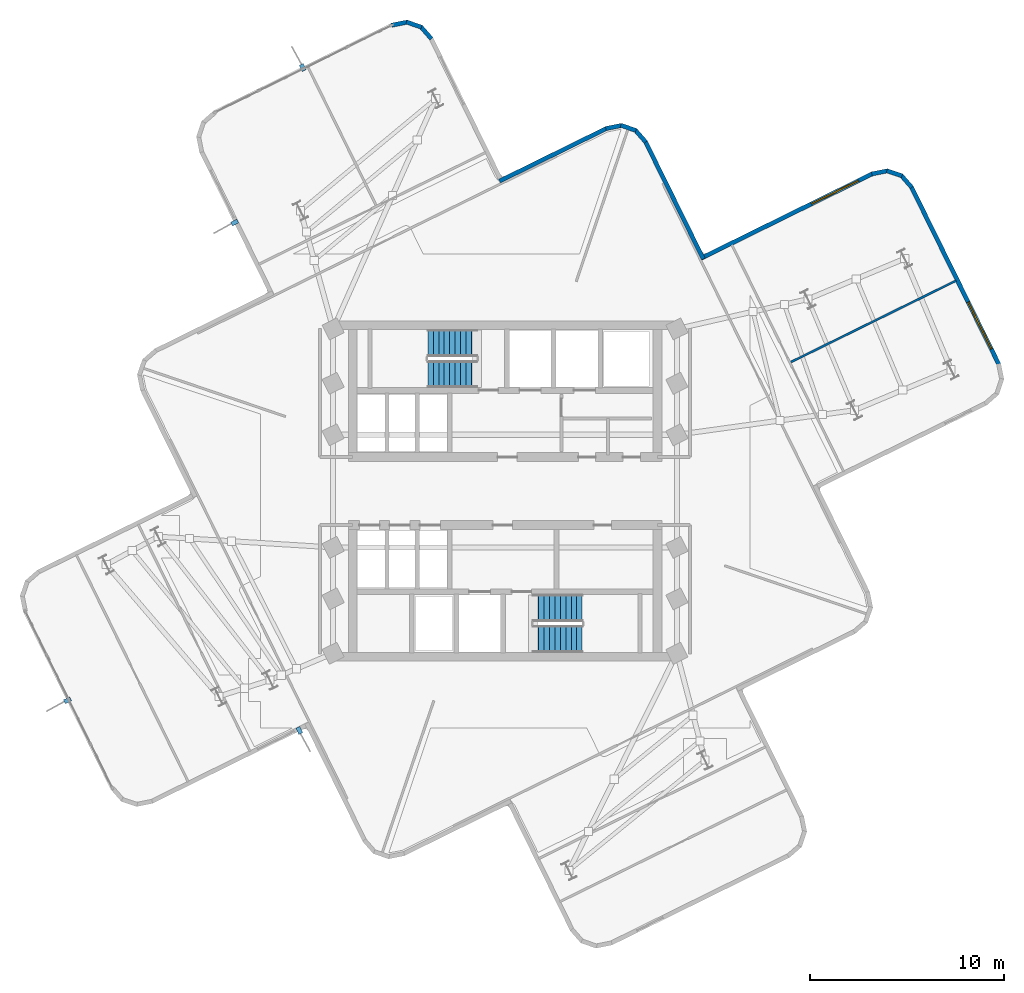
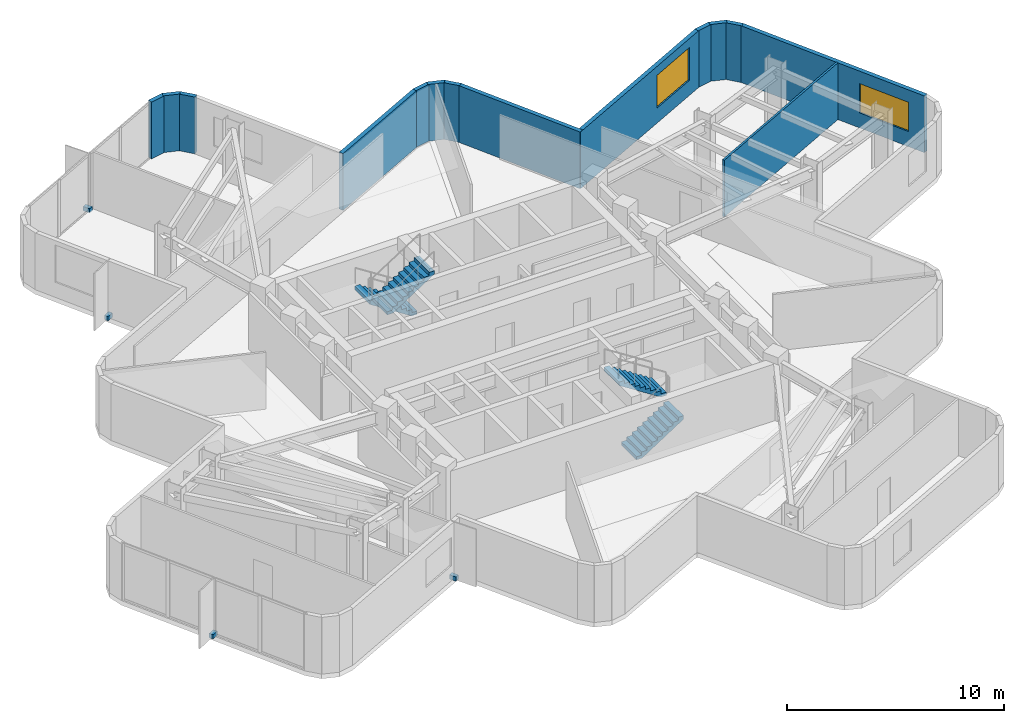
# One storey, part 8 of 11: 14 walls, 4 discrete accessories, 4 stair flights, 2 windows, 2 openings, 2 elements without a shape of their own.
"""IFC4 building model written with IfcOpenShell, lengths in metres."""

from ifc_helpers import new_model, si_unit, direction, frame, frame_2d, origin, origin_2d, place, context, subcontext, project, spatial, polyline, rectangle, outline, extrude, material, layer, layer_set, type_object, element, fill, aggregate, save


model = new_model("IFC4")

# Units and contexts
model_context = context("Model", 3, precision=1e-05, world=origin(), true_north=direction((0.0, 1.0)))
body_context = subcontext(model_context, "Body", "Model", "MODEL_VIEW")
ifc_project = project(units=[si_unit("LENGTHUNIT", "METRE"), si_unit("AREAUNIT", "SQUARE_METRE"), si_unit("VOLUMEUNIT", "CUBIC_METRE"), si_unit("PLANEANGLEUNIT", "RADIAN"), si_unit("MASSUNIT", "GRAM", prefix="KILO")], contexts=[model_context])

# Site, building, storey
site_placement = place(None, origin())
site = spatial("IfcSite", under=ifc_project, at=site_placement, CompositionType="ELEMENT")
building_placement = place(site_placement, origin())
building = spatial("IfcBuilding", under=site, at=building_placement, Name="Solmarez Civic Tower", CompositionType="ELEMENT")
storey_placement = place(building_placement, frame((0.0, 0.0, 192.60009765625)))
storey = spatial("IfcBuildingStorey", under=building, at=storey_placement, Name="L51", CompositionType="ELEMENT", Elevation=192.60009765625)

# Walls
ifc_material_1 = material(Name="Precast concrete C40/50", Category="concrete")
ifc_layer_1 = layer(ifc_material_1, 0.219970703125)
ifc_layer_set_1 = layer_set([ifc_layer_1], Name="Precast concrete C40/50")
wall_type_1 = type_object("IfcWallType", Name="WALL-EXT-220", PredefinedType="SOLIDWALL", material=ifc_layer_set_1)
wall_1_placement = place(storey_placement, frame((-5.844970703125, 23.98388671875, 0.0), z_axis=(0.0, 0.0, 1.0), x_axis=(0.980748961915, 0.195272818647, 0.0)))
element("IfcWall", 1, at=wall_1_placement, inside=storey, type_object=wall_type_1, Name="L51 Exterior Precast Wall 25", PredefinedType="SOLIDWALL", context=body_context, shape_type="SweptSolid", body=[
    extrude(rectangle(XDim=0.835205078125, YDim=0.219970703125, at=frame_2d((0.41748046875, 0.0))), origin(), (0.0, 0.0, 1.0), 3.199951171875),
])
wall_2_placement = place(storey_placement, frame((-5.074951171875, 24.14990234375, 0.0), z_axis=(0.0, 0.0, 1.0), x_axis=(0.946729156516, -0.322030905662, 0.0)))
element("IfcWall", 2, at=wall_2_placement, inside=storey, type_object=wall_type_1, Name="L51 Exterior Precast Wall 26", PredefinedType="SOLIDWALL", context=body_context, shape_type="SweptSolid", body=[
    extrude(rectangle(XDim=0.819580078125, YDim=0.219970703125, at=frame_2d((0.40966796875, 0.0))), origin(), (0.0, 0.0, 1.0), 3.199951171875),
])
wall_3_placement = place(storey_placement, frame((-4.339111328125, 23.9130859375, 0.0), z_axis=(0.0, 0.0, 1.0), x_axis=(0.65811089996, -0.75292100738, 0.0)))
element("IfcWall", 3, at=wall_3_placement, inside=storey, type_object=wall_type_1, Name="L51 Exterior Precast Wall 27", PredefinedType="SOLIDWALL", context=body_context, shape_type="SweptSolid", body=[
    extrude(rectangle(XDim=0.834228515625, YDim=0.219970703125, at=frame_2d((0.4169921875, 0.0))), origin(), (0.0, 0.0, 1.0), 3.199951171875),
])
wall_4_placement = place(storey_placement, frame((-0.283935546875, 15.9599609375, 0.0), z_axis=(0.0, 0.0, 1.0), x_axis=(0.897012793167, 0.442004580174, 0.0)))
element("IfcWall", 4, at=wall_4_placement, inside=storey, type_object=wall_type_1, Name="L51 Exterior Precast Wall 31", PredefinedType="SOLIDWALL", context=body_context, shape_type="SweptSolid", body=[
    extrude(rectangle(XDim=6.158203125, YDim=0.219970703125, at=frame_2d((3.0791015625, 0.0))), origin(), (0.0, 0.0, 1.0), 3.199951171875),
])
wall_5_placement = place(storey_placement, frame((5.193115234375, 18.666015625, 0.0), z_axis=(0.0, 0.0, 1.0), x_axis=(0.980737810353, 0.19532881852, 0.0)))
element("IfcWall", 5, at=wall_5_placement, inside=storey, type_object=wall_type_1, Name="L51 Exterior Precast Wall 32", PredefinedType="SOLIDWALL", context=body_context, shape_type="SweptSolid", body=[
    extrude(rectangle(XDim=0.8349609375, YDim=0.219970703125, at=frame_2d((0.41748046875, 0.0))), origin(), (0.0, 0.0, 1.0), 3.199951171875),
])
wall_6_placement = place(storey_placement, frame((5.962890625, 18.83203125, 0.0), z_axis=(0.0, 0.0, 1.0), x_axis=(0.947245162699, -0.320509908962, 0.0)))
element("IfcWall", 6, at=wall_6_placement, inside=storey, type_object=wall_type_1, Name="L51 Exterior Precast Wall 33", PredefinedType="SOLIDWALL", context=body_context, shape_type="SweptSolid", body=[
    extrude(rectangle(XDim=0.8203125, YDim=0.219970703125, at=frame_2d((0.41015625, 0.0))), origin(), (0.0, 0.0, 1.0), 3.199951171875),
])
wall_7_placement = place(storey_placement, frame((6.699951171875, 18.595947265625, 0.0), z_axis=(0.0, 0.0, 1.0), x_axis=(0.658255916404, -0.752794227209, 0.0)))
element("IfcWall", 7, at=wall_7_placement, inside=storey, type_object=wall_type_1, Name="L51 Exterior Precast Wall 34", PredefinedType="SOLIDWALL", context=body_context, shape_type="SweptSolid", body=[
    extrude(rectangle(XDim=0.834228515625, YDim=0.219970703125, at=frame_2d((0.4169921875, 0.0))), origin(), (0.0, 0.0, 1.0), 3.199951171875),
])
wall_8_placement = place(storey_placement, frame((7.221923828125, 18.009033203125, 0.0), z_axis=(0.0, 0.0, 1.0), x_axis=(0.44217743079, -0.896927600032, 0.0)))
element("IfcWall", 8, at=wall_8_placement, inside=storey, type_object=wall_type_1, Name="L51 Exterior Precast Wall 35", PredefinedType="SOLIDWALL", context=body_context, shape_type="SweptSolid", body=[
    extrude(rectangle(XDim=6.757568359375, YDim=0.219970703125, at=frame_2d((3.37890625, 0.0))), origin(), (0.0, 0.0, 1.0), 3.199951171875),
])

# Wall, opening, window
wall_9_placement = place(storey_placement, frame((10.092041015625, 11.988037109375, 0.0), z_axis=(0.0, 0.0, 1.0), x_axis=(0.896973397182, 0.442084522177, 0.0)))
wall_9 = element("IfcWall", 9, at=wall_9_placement, inside=storey, type_object=wall_type_1, Name="L51 Exterior Precast Wall 38", PredefinedType="SOLIDWALL", context=body_context, shape_type="SweptSolid", body=[
    extrude(rectangle(XDim=9.857666015625, YDim=0.219970703125, at=frame_2d((4.9287109375, 0.0))), origin(), (0.0, 0.0, 1.0), 3.199951171875),
])
opening_1_placement = place(wall_9_placement, frame((6.339111328125, 0.0, 0.85009765625)))
opening_1 = element("IfcOpeningElement", 10, at=opening_1_placement, cuts=wall_9, Name="Opening W-05", PredefinedType="OPENING", context=body_context, shape_type="SweptSolid", body=[
    extrude(rectangle(XDim=2.699951171875, YDim=1.85009765625, at=frame_2d((1.35009765625, 0.925048828125))), frame((0.0, 0.119873046875, 0.0), z_axis=(0.0, -1.0, 0.0), x_axis=(1.0, 0.0, 0.0)), (0.0, 0.0, 1.0), 0.239990234375),
])
ifc_material_2 = material(Name="Solar Control Bronze-Tinted Insulating Glass", Category="glass")
window_type_1 = type_object("IfcWindowType", Name="WIN-2700X1850", PartitioningType="SINGLE_PANEL", PredefinedType="WINDOW", material=ifc_material_2)
window_1_placement = place(opening_1_placement, origin())
window_1 = element("IfcWindow", 11, at=window_1_placement, inside=storey, type_object=window_type_1, Name="L51 Exterior Facade Window 38", OverallHeight=1.85009765625, OverallWidth=2.699951171875, PartitioningType="SINGLE_PANEL", PredefinedType="WINDOW", context=body_context, shape_type="SweptSolid", body=[
    extrude(rectangle(XDim=2.699951171875, YDim=1.85009765625, at=frame_2d((1.35009765625, 0.925048828125))), frame((0.0, 0.030029296875, 0.0), z_axis=(0.0, -1.0, 0.0), x_axis=(1.0, 0.0, 0.0)), (0.0, 0.0, 1.0), 0.06005859375),
])
fill(opening_1, window_1)

# Walls
wall_10_placement = place(storey_placement, frame((18.886962890625, 16.330078125, 0.0), z_axis=(0.0, 0.0, 1.0), x_axis=(0.980804908934, 0.194991616769, 0.0)))
element("IfcWall", 12, at=wall_10_placement, inside=storey, type_object=wall_type_1, Name="L51 Exterior Precast Wall 39", PredefinedType="SOLIDWALL", context=body_context, shape_type="SweptSolid", body=[
    extrude(rectangle(XDim=0.835205078125, YDim=0.219970703125, at=frame_2d((0.41748046875, 0.0))), origin(), (0.0, 0.0, 1.0), 3.199951171875),
])
wall_11_placement = place(storey_placement, frame((19.656982421875, 16.49609375, 0.0), z_axis=(0.0, 0.0, 1.0), x_axis=(0.94679268696, -0.321844073921, 0.0)))
element("IfcWall", 13, at=wall_11_placement, inside=storey, type_object=wall_type_1, Name="L51 Exterior Precast Wall 40", PredefinedType="SOLIDWALL", context=body_context, shape_type="SweptSolid", body=[
    extrude(rectangle(XDim=0.82080078125, YDim=0.219970703125, at=frame_2d((0.410400390625, 0.0))), origin(), (0.0, 0.0, 1.0), 3.199951171875),
])
wall_12_placement = place(storey_placement, frame((20.39404296875, 16.259033203125, 0.0), z_axis=(0.0, 0.0, 1.0), x_axis=(0.658836376907, -0.752286267629, 0.0)))
element("IfcWall", 14, at=wall_12_placement, inside=storey, type_object=wall_type_1, Name="L51 Exterior Precast Wall 41", PredefinedType="SOLIDWALL", context=body_context, shape_type="SweptSolid", body=[
    extrude(rectangle(XDim=0.83349609375, YDim=0.219970703125, at=frame_2d((0.416748046875, 0.0))), origin(), (0.0, 0.0, 1.0), 3.199951171875),
])

# Wall, opening, window
wall_13_placement = place(storey_placement, frame((20.916015625, 15.673095703125, 0.0), z_axis=(0.0, 0.0, 1.0), x_axis=(0.442161398101, -0.896935503829, 0.0)))
wall_13 = element("IfcWall", 15, at=wall_13_placement, inside=storey, type_object=wall_type_1, Name="L51 Exterior Precast Wall 42", PredefinedType="SOLIDWALL", context=body_context, shape_type="SweptSolid", body=[
    extrude(rectangle(XDim=10.220458984375, YDim=0.219970703125, at=frame_2d((5.1103515625, 0.0))), origin(), (0.0, 0.0, 1.0), 3.199951171875),
])
opening_2_placement = place(wall_13_placement, frame((6.6220703125, 0.0, 0.85009765625)))
opening_2 = element("IfcOpeningElement", 16, at=opening_2_placement, cuts=wall_13, Name="Opening W-09", PredefinedType="OPENING", context=body_context, shape_type="SweptSolid", body=[
    extrude(rectangle(XDim=2.699951171875, YDim=1.64990234375, at=frame_2d((1.35009765625, 0.824951171875))), frame((0.0, 0.119873046875, 0.0), z_axis=(0.0, -1.0, 0.0), x_axis=(1.0, 0.0, 0.0)), (0.0, 0.0, 1.0), 0.239990234375),
])
window_type_2 = type_object("IfcWindowType", Name="WIN-2700X1650", PartitioningType="SINGLE_PANEL", PredefinedType="WINDOW", material=ifc_material_2)
window_2_placement = place(opening_2_placement, origin())
window_2 = element("IfcWindow", 17, at=window_2_placement, inside=storey, type_object=window_type_2, Name="L51 Exterior Facade Window 42", OverallHeight=1.64990234375, OverallWidth=2.699951171875, PartitioningType="SINGLE_PANEL", PredefinedType="WINDOW", context=body_context, shape_type="SweptSolid", body=[
    extrude(rectangle(XDim=2.699951171875, YDim=1.64990234375, at=frame_2d((1.35009765625, 0.824951171875))), frame((0.0, 0.030029296875, 0.0), z_axis=(0.0, -1.0, 0.0), x_axis=(1.0, 0.0, 0.0)), (0.0, 0.0, 1.0), 0.06005859375),
])
fill(opening_2, window_2)

# Wall
ifc_material_3 = material(Name="Gypsum Board Acoustic Steel-Stud Partition", Category="steel")
ifc_layer_2 = layer(ifc_material_3, 0.110107421875)
ifc_layer_set_2 = layer_set([ifc_layer_2], Name="Gypsum Board Acoustic Steel-Stud Partition")
wall_type_2 = type_object("IfcWallType", Name="WALL-INT-PART-110", PredefinedType="PARTITIONING", material=ifc_layer_set_2)
wall_14_placement = place(storey_placement, frame((14.719970703125, 6.64306640625, 0.0), z_axis=(0.0, 0.0, 1.0), x_axis=(0.896948430533, 0.442135174991, 0.0)))
element("IfcWall", 18, at=wall_14_placement, inside=storey, type_object=wall_type_2, Name="L51 Interior Partition PT-L51-E-TSP", PredefinedType="PARTITIONING", context=body_context, shape_type="SweptSolid", body=[
    extrude(rectangle(XDim=9.474365234375, YDim=0.110107421875, at=frame_2d((4.7373046875, 0.0))), origin(), (0.0, 0.0, 1.0), 3.199951171875),
])

# Stair, stair flights
ifc_material_4 = material(Name="Concrete C50/60", Category="concrete")
stair_type = type_object("IfcStairType", Name="STAIR-DOGLEG-140W-20R-1800", PredefinedType="HALF_TURN_STAIR", material=ifc_material_4)
stair_1_placement = place(storey_placement, origin())
stair_1 = element("IfcStair", 19, at=stair_1_placement, inside=storey, type_object=stair_type, Name="L51 North Core Protected Exit Stair ST-1", PredefinedType="HALF_TURN_STAIR")
stair_flight_type = type_object("IfcStairFlightType", Name="FLIGHT-DOGLEG-140W-10R-1800", PredefinedType="STRAIGHT", material=ifc_material_4)
stair_flight_1_placement = place(storey_placement, frame((-1.449951171875, 7.6201171875, 0.0), z_axis=(0.0, 0.0, 1.0), x_axis=(-1.0, 0.0, 0.0)))
stair_flight_1 = element("IfcStairFlight", 20, at=stair_flight_1_placement, type_object=stair_flight_type, Name="ST-1 flight 1", NumberOfRisers=10, NumberOfTreads=9, PredefinedType="STRAIGHT", RiserHeight=0.18, TreadLength=0.28, context=body_context, shape_type="SweptSolid", body=[
    extrude(outline(polyline([(0.0, 0.0), (0.0, 0.179931640625), (0.280029296875, 0.179931640625), (0.280029296875, 0.360107421875), (0.56005859375, 0.360107421875), (0.56005859375, 0.5400390625), (0.840087890625, 0.5400390625), (0.840087890625, 0.719970703125), (1.1201171875, 0.719970703125), (1.1201171875, 0.89990234375), (1.39990234375, 0.89990234375), (1.39990234375, 1.080078125), (1.679931640625, 1.080078125), (1.679931640625, 1.260009765625), (1.9599609375, 1.260009765625), (1.9599609375, 1.43994140625), (2.239990234375, 1.43994140625), (2.239990234375, 1.6201171875), (2.52001953125, 1.6201171875), (2.52001953125, 1.800048828125), (2.52001953125, 1.429931640625), (0.295654296875, 0.0), (0.0, 0.0)])), frame((0.0, 0.699951171875, 0.0), z_axis=(0.0, -1.0, 0.0), x_axis=(1.0, 0.0, 0.0)), (0.0, 0.0, 1.0), 1.39990234375),
])
stair_flight_2_placement = place(storey_placement, frame((-3.969970703125, 6.02001953125, 1.7998046875), z_axis=(0.0, 0.0, 1.0), x_axis=(1.0, 0.0, 0.0)))
stair_flight_2 = element("IfcStairFlight", 21, at=stair_flight_2_placement, type_object=stair_flight_type, Name="ST-1 flight 2", NumberOfRisers=10, NumberOfTreads=9, PredefinedType="STRAIGHT", RiserHeight=0.18, TreadLength=0.28, context=body_context, shape_type="SweptSolid", body=[
    extrude(outline(polyline([(0.0, 0.0), (0.0, 0.179931640625), (0.280029296875, 0.179931640625), (0.280029296875, 0.360107421875), (0.56005859375, 0.360107421875), (0.56005859375, 0.5400390625), (0.840087890625, 0.5400390625), (0.840087890625, 0.719970703125), (1.1201171875, 0.719970703125), (1.1201171875, 0.89990234375), (1.39990234375, 0.89990234375), (1.39990234375, 1.080078125), (1.679931640625, 1.080078125), (1.679931640625, 1.260009765625), (1.9599609375, 1.260009765625), (1.9599609375, 1.43994140625), (2.239990234375, 1.43994140625), (2.239990234375, 1.6201171875), (2.52001953125, 1.6201171875), (2.52001953125, 1.800048828125), (2.52001953125, 1.429931640625), (0.295654296875, 0.0), (0.0, 0.0)])), frame((0.0, 0.699951171875, 0.0), z_axis=(0.0, -1.0, 0.0), x_axis=(1.0, 0.0, 0.0)), (0.0, 0.0, 1.0), 1.39990234375),
])
aggregate(stair_1, [stair_flight_1, stair_flight_2])

stair_2_placement = place(storey_placement, origin())
stair_2 = element("IfcStair", 22, at=stair_2_placement, inside=storey, type_object=stair_type, Name="L51 South Core Protected Exit Stair ST-2", PredefinedType="HALF_TURN_STAIR")
stair_flight_3_placement = place(storey_placement, frame((1.449951171875, -7.6201171875, 0.0), z_axis=(0.0, 0.0, 1.0), x_axis=(1.0, 0.0, 0.0)))
stair_flight_3 = element("IfcStairFlight", 23, at=stair_flight_3_placement, type_object=stair_flight_type, Name="ST-2 flight 1", NumberOfRisers=10, NumberOfTreads=9, PredefinedType="STRAIGHT", RiserHeight=0.18, TreadLength=0.28, context=body_context, shape_type="SweptSolid", body=[
    extrude(outline(polyline([(0.0, 0.0), (0.0, 0.179931640625), (0.280029296875, 0.179931640625), (0.280029296875, 0.360107421875), (0.56005859375, 0.360107421875), (0.56005859375, 0.5400390625), (0.840087890625, 0.5400390625), (0.840087890625, 0.719970703125), (1.1201171875, 0.719970703125), (1.1201171875, 0.89990234375), (1.39990234375, 0.89990234375), (1.39990234375, 1.080078125), (1.679931640625, 1.080078125), (1.679931640625, 1.260009765625), (1.9599609375, 1.260009765625), (1.9599609375, 1.43994140625), (2.239990234375, 1.43994140625), (2.239990234375, 1.6201171875), (2.52001953125, 1.6201171875), (2.52001953125, 1.800048828125), (2.52001953125, 1.429931640625), (0.295654296875, 0.0), (0.0, 0.0)])), frame((0.0, 0.699951171875, 0.0), z_axis=(0.0, -1.0, 0.0), x_axis=(1.0, 0.0, 0.0)), (0.0, 0.0, 1.0), 1.39990234375),
])
stair_flight_4_placement = place(storey_placement, frame((3.969970703125, -6.02001953125, 1.7998046875), z_axis=(0.0, 0.0, 1.0), x_axis=(-1.0, 0.0, 0.0)))
stair_flight_4 = element("IfcStairFlight", 24, at=stair_flight_4_placement, type_object=stair_flight_type, Name="ST-2 flight 2", NumberOfRisers=10, NumberOfTreads=9, PredefinedType="STRAIGHT", RiserHeight=0.18, TreadLength=0.28, context=body_context, shape_type="SweptSolid", body=[
    extrude(outline(polyline([(0.0, 0.0), (0.0, 0.179931640625), (0.280029296875, 0.179931640625), (0.280029296875, 0.360107421875), (0.56005859375, 0.360107421875), (0.56005859375, 0.5400390625), (0.840087890625, 0.5400390625), (0.840087890625, 0.719970703125), (1.1201171875, 0.719970703125), (1.1201171875, 0.89990234375), (1.39990234375, 0.89990234375), (1.39990234375, 1.080078125), (1.679931640625, 1.080078125), (1.679931640625, 1.260009765625), (1.9599609375, 1.260009765625), (1.9599609375, 1.43994140625), (2.239990234375, 1.43994140625), (2.239990234375, 1.6201171875), (2.52001953125, 1.6201171875), (2.52001953125, 1.800048828125), (2.52001953125, 1.429931640625), (0.295654296875, 0.0), (0.0, 0.0)])), frame((0.0, 0.699951171875, 0.0), z_axis=(0.0, -1.0, 0.0), x_axis=(1.0, 0.0, 0.0)), (0.0, 0.0, 1.0), 1.39990234375),
])
aggregate(stair_2, [stair_flight_3, stair_flight_4])

# Discrete accessories
ifc_material_5 = material(Name="Stainless Steel Grade 1.4401", Category="steel")
discrete_accessory_type = type_object("IfcDiscreteAccessoryType", Name="BRACKET-SS-FIN", PredefinedType="BRACKET", material=ifc_material_5)
for number, where, z_axis, x_axis, name in (
    (25, (-10.594970703125, -12.324951171875, -0.06005859375), (0.0, 0.0, 1.0), (0.442019003293, -0.897005686006, 0.0), "L51 Stainless Fin Support Bracket FIN-L51-01"),
    (26, (-22.529052734375, -10.77099609375, -0.06005859375), (0.0, 0.0, 1.0), (-0.896949391614, -0.442133225265, 0.0), "L51 Stainless Fin Support Bracket FIN-L51-02"),
    (27, (-13.919921875, 13.8310546875, -0.06005859375), (0.0, 0.0, 1.0), (-0.896966249872, -0.442099023513, 0.0), "L51 Stainless Fin Support Bracket FIN-L51-03"),
    (28, (-10.4169921875, 21.81201171875, -0.06005859375), (0.0, 0.0, 1.0), (-0.442133225265, 0.896949391614, 0.0), "L51 Stainless Fin Support Bracket FIN-L51-04"),
):
    element("IfcDiscreteAccessory", number, at=place(storey_placement, frame(where, z_axis=z_axis, x_axis=x_axis)), inside=storey, type_object=discrete_accessory_type, Name=name, PredefinedType="BRACKET", context=body_context, shape_type="SweptSolid", body=[
        extrude(rectangle(XDim=0.360107421875, YDim=0.219970703125, at=origin_2d()), origin(), (0.0, 0.0, 1.0), 0.239990234375),
    ])

save(model, "model.ifc")
